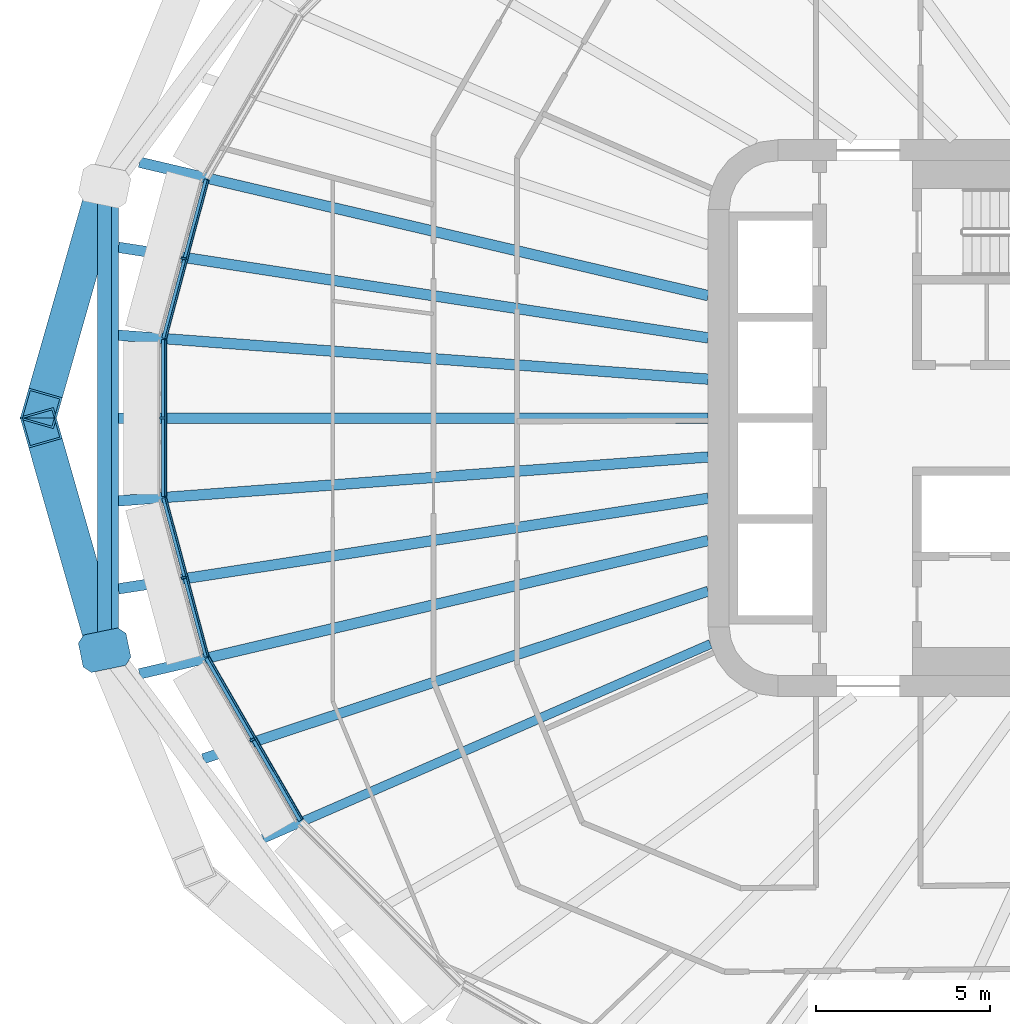
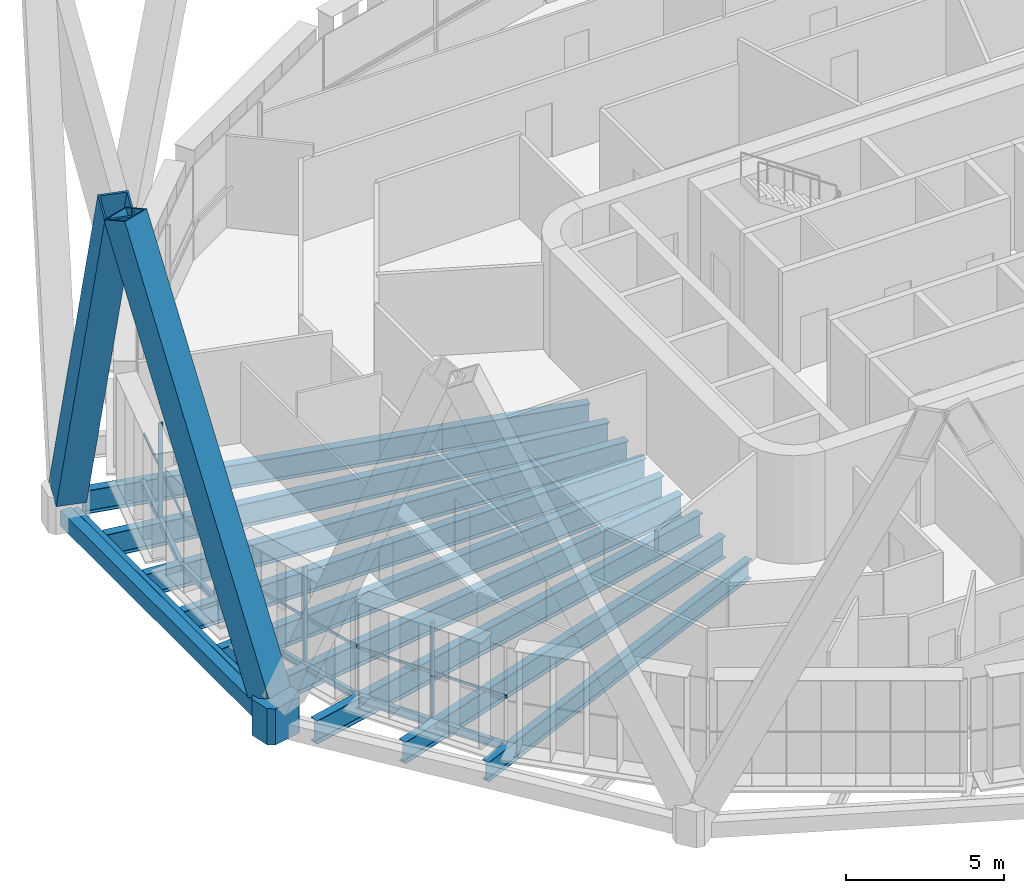
# One storey, part 3 of 25: 15 beams, 11 members, 4 elements without a shape of their own.
"""IFC4 building model written with IfcOpenShell, lengths in metres."""

from ifc_helpers import new_model, si_unit, direction, frame, origin, origin_2d, place, context, subcontext, project, spatial, polyline, rectangle, hollow_rectangle, i_section, outline, extrude, material, layer, layer_set, material_profile, profile_set, type_object, element, aggregate, save


model = new_model("IFC4")

# Units and contexts
model_context = context("Model", 3, precision=1e-05, world=origin(), true_north=direction((0.0, 1.0)))
body_context = subcontext(model_context, "Body", "Model", "MODEL_VIEW")
ifc_project = project(units=[si_unit("LENGTHUNIT", "METRE"), si_unit("AREAUNIT", "SQUARE_METRE"), si_unit("VOLUMEUNIT", "CUBIC_METRE"), si_unit("PLANEANGLEUNIT", "RADIAN"), si_unit("MASSUNIT", "GRAM", prefix="KILO")], contexts=[model_context])

# Site, building, storey
site_placement = place(None, origin())
site = spatial("IfcSite", under=ifc_project, at=site_placement, CompositionType="ELEMENT")
building_placement = place(site_placement, origin())
building = spatial("IfcBuilding", under=site, at=building_placement, Name="Sahrelin Media Tower", CompositionType="ELEMENT")
storey_placement = place(building_placement, frame((0.0, 0.0, 63.0)))
storey = spatial("IfcBuildingStorey", under=building, at=storey_placement, Name="L10", CompositionType="ELEMENT", Elevation=63.0)

# Members
ifc_material_1 = material(Name="Steel S460", Category="steel")
ifc_material_profile_1 = material_profile(ifc_material_1, hollow_rectangle(XDim=1.0, YDim=1.0, WallThickness=0.06005859375, at=origin_2d()), Name="Diagrid diagonal DG1")
ifc_profile_set_1 = profile_set([ifc_material_profile_1], Name="Steel S460")
member_type_1 = type_object("IfcMemberType", Name="Diagrid diagonal DG1", PredefinedType="BRACE", material=ifc_profile_set_1)
for number, where, z_axis, x_axis, name in (
    (1, (-32.428466796875, 6.393798828125, 0.699951171875), (-0.104723795956, -0.367053461411, 0.924286039615), (0.961626731907, -0.274361127862, 0.0), "Diagrid diagonal D01-11"),
    (2, (-32.428466796875, -6.393798828125, 0.699951171875), (-0.104723795956, 0.367053461411, 0.924286039615), (-0.961626731907, -0.274361127862, 0.0), "Diagrid diagonal D01-12"),
):
    element("IfcMember", number, at=place(storey_placement, frame(where, z_axis=z_axis, x_axis=x_axis)), inside=storey, type_object=member_type_1, Name=name, PredefinedType="BRACE", context=body_context, shape_type="SweptSolid", body=[
        extrude(hollow_rectangle(XDim=1.0, YDim=1.0, WallThickness=0.06005859375, at=origin_2d()), origin(), (0.0, 0.0, 1.0), 16.66162109375),
    ])
ifc_material_profile_2 = material_profile(ifc_material_1, outline(polyline([(0.5, -0.550048828125), (0.699951171875, -0.35009765625), (0.699951171875, 0.35009765625), (0.5, 0.550048828125), (-0.5, 0.550048828125), (-0.699951171875, 0.35009765625), (-0.699951171875, -0.35009765625), (-0.5, -0.550048828125), (0.5, -0.550048828125)])), Name="Diagrid node block 1400")
ifc_profile_set_2 = profile_set([ifc_material_profile_2], Name="Steel S460")
member_type_2 = type_object("IfcMemberType", Name="Diagrid node block 1400", PredefinedType="USERDEFINED", material=ifc_profile_set_2)
member_1_placement = place(storey_placement, frame((-32.34912109375, -6.671630859375, -0.699951171875), z_axis=(0.0, 0.0, 1.0), x_axis=(-0.979387770926, -0.201989094163, 0.0)))
element("IfcMember", 3, at=member_1_placement, inside=storey, type_object=member_type_2, Name="Diagrid node N01-06", ObjectType="NODE", PredefinedType="USERDEFINED", context=body_context, shape_type="SweptSolid", body=[
    extrude(outline(polyline([(0.5, -0.550048828125), (0.699951171875, -0.35009765625), (0.699951171875, 0.35009765625), (0.5, 0.550048828125), (-0.5, 0.550048828125), (-0.699951171875, 0.35009765625), (-0.699951171875, -0.35009765625), (-0.5, -0.550048828125), (0.5, -0.550048828125)])), origin(), (0.0, 0.0, 1.0), 1.39990234375),
])

# Beams
ifc_material_profile_3 = material_profile(ifc_material_1, hollow_rectangle(XDim=0.39990234375, YDim=0.60009765625, WallThickness=0.030029296875, at=origin_2d()), Name="Diagrid ring beam RB1")
ifc_profile_set_3 = profile_set([ifc_material_profile_3], Name="Steel S460")
beam_type_1 = type_object("IfcBeamType", Name="Diagrid ring beam RB1", PredefinedType="BEAM", material=ifc_profile_set_3)
beam_1_placement = place(storey_placement, frame((-32.34912109375, 6.671630859375, -0.449951171875), z_axis=(0.0, -1.0, 0.0), x_axis=(1.0, 0.0, 0.0)))
element("IfcBeam", 4, at=beam_1_placement, inside=storey, type_object=beam_type_1, Name="Diagrid ring beam RB01-05", PredefinedType="BEAM", context=body_context, shape_type="SweptSolid", body=[
    extrude(hollow_rectangle(XDim=0.39990234375, YDim=0.60009765625, WallThickness=0.030029296875, at=origin_2d()), origin(), (0.0, 0.0, 1.0), 13.34326171875),
])
ifc_material_2 = material(Name="Steel S355", Category="steel")
ifc_material_profile_4 = material_profile(ifc_material_2, i_section(OverallWidth=0.14599609375, OverallDepth=0.25146484375, WebThickness=0.006103515625, FlangeThickness=0.008544921875, FilletRadius=0.007568359375, at=origin_2d()), Name="UB 254x146x31")
ifc_profile_set_4 = profile_set([ifc_material_profile_4], Name="Steel S355")
beam_type_2 = type_object("IfcBeamType", Name="Edge beam EB1", PredefinedType="BEAM", material=ifc_profile_set_4)
beam_2_placement = place(storey_placement, frame((-29.412109375, -6.85888671875, -0.275634765625), z_axis=(-0.258783372554, 0.965935384014, 0.0), x_axis=(-0.965935384014, -0.258783372554, 0.0)))
element("IfcBeam", 5, at=beam_2_placement, inside=storey, type_object=beam_type_2, Name="Edge beam L10-12", PredefinedType="BEAM", context=body_context, shape_type="SweptSolid", body=[
    extrude(i_section(OverallWidth=0.14599609375, OverallDepth=0.25146484375, WebThickness=0.006103515625, FlangeThickness=0.008544921875, FilletRadius=0.007568359375, at=origin_2d()), origin(), (0.0, 0.0, 1.0), 4.731201171875),
])
beam_3_placement = place(storey_placement, frame((-30.640380859375, -2.260009765625, -0.275634765625), z_axis=(0.0, 1.0, 0.0), x_axis=(-1.0, 0.0, 0.0)))
element("IfcBeam", 6, at=beam_3_placement, inside=storey, type_object=beam_type_2, Name="Edge beam L10-13", PredefinedType="BEAM", context=body_context, shape_type="SweptSolid", body=[
    extrude(i_section(OverallWidth=0.14599609375, OverallDepth=0.25146484375, WebThickness=0.006103515625, FlangeThickness=0.008544921875, FilletRadius=0.007568359375, at=origin_2d()), origin(), (0.0, 0.0, 1.0), 4.52001953125),
])
beam_4_placement = place(storey_placement, frame((-30.636474609375, 2.288818359375, -0.275634765625), z_axis=(0.258783372554, 0.965935384014, 0.0), x_axis=(-0.965935384014, 0.258783372554, 0.0)))
element("IfcBeam", 7, at=beam_4_placement, inside=storey, type_object=beam_type_2, Name="Edge beam L10-14", PredefinedType="BEAM", context=body_context, shape_type="SweptSolid", body=[
    extrude(i_section(OverallWidth=0.14599609375, OverallDepth=0.25146484375, WebThickness=0.006103515625, FlangeThickness=0.008544921875, FilletRadius=0.007568359375, at=origin_2d()), origin(), (0.0, 0.0, 1.0), 4.731201171875),
])
ifc_material_profile_5 = material_profile(ifc_material_2, i_section(OverallWidth=0.1650390625, OverallDepth=0.303466796875, WebThickness=0.006103515625, FlangeThickness=0.01025390625, FilletRadius=0.0087890625, at=origin_2d()), Name="UB 305x165x40")
ifc_profile_set_5 = profile_set([ifc_material_profile_5], Name="Steel S355")
beam_type_3 = type_object("IfcBeamType", Name="Edge beam EB2", PredefinedType="BEAM", material=ifc_profile_set_5)
beam_5_placement = place(storey_placement, frame((-26.703125, -11.55810546875, -0.3017578125), z_axis=(-0.500003162844, 0.866023577708, 0.0), x_axis=(-0.866023577708, -0.500003162844, 0.0)))
element("IfcBeam", 8, at=beam_5_placement, inside=storey, type_object=beam_type_3, Name="Edge beam L10-11", PredefinedType="BEAM", context=body_context, shape_type="SweptSolid", body=[
    extrude(i_section(OverallWidth=0.1650390625, OverallDepth=0.303466796875, WebThickness=0.006103515625, FlangeThickness=0.01025390625, FilletRadius=0.0087890625, at=origin_2d()), origin(), (0.0, 0.0, 1.0), 5.3955078125),
])

# Curtain wall, member
ifc_material_3 = material(Name="Champagne anodised aluminium 6063-T6", Category="aluminium")
ifc_layer = layer(ifc_material_3, 0.14990234375)
ifc_layer_set = layer_set([ifc_layer], Name="Tower ribbon curtain wall")
curtain_wall_type = type_object("IfcCurtainWallType", Name="Tower ribbon curtain wall", PredefinedType="NOTDEFINED", material=ifc_layer_set)
curtain_wall_1_placement = place(storey_placement, frame((-30.169189453125, 4.612548828125, 0.0), z_axis=(0.0, 0.0, 1.0), x_axis=(1.0, 0.0, 0.0)))
curtain_wall_1 = element("IfcCurtainWall", 9, at=curtain_wall_1_placement, inside=storey, type_object=curtain_wall_type, Name="L10:CW:L10-11", PredefinedType="NOTDEFINED")
ifc_material_profile_6 = material_profile(ifc_material_3, rectangle(XDim=0.06005859375, YDim=0.14990234375, at=origin_2d()), Name="Mullion 60x150")
ifc_profile_set_6 = profile_set([ifc_material_profile_6], Name="Champagne anodised aluminium 6063-T6")
member_type_3 = type_object("IfcMemberType", Name="Mullion 60x150 CW1", PredefinedType="MULLION", material=ifc_profile_set_6)
member_2_placement = place(storey_placement, frame((-30.077392578125, 4.587890625, 0.0), z_axis=(0.0, 0.0, 1.0), x_axis=(-0.258820730961, -0.965925374563, 0.0)))
member_2 = element("IfcMember", 10, at=member_2_placement, type_object=member_type_3, Name="L10:CWM:L10-11", PredefinedType="MULLION", context=body_context, shape_type="SweptSolid", body=[
    extrude(rectangle(XDim=0.06005859375, YDim=0.14990234375, at=origin_2d()), origin(), (0.0, 0.0, 1.0), 3.648681640625),
])

curtain_wall_2_placement = place(storey_placement, frame((-30.790283203125, 0.0, 0.0), z_axis=(0.0, 0.0, 1.0), x_axis=(1.0, 0.0, 0.0)))
curtain_wall_2 = element("IfcCurtainWall", 11, at=curtain_wall_2_placement, inside=storey, type_object=curtain_wall_type, Name="L10:CW:L10-12", PredefinedType="NOTDEFINED")
member_3_placement = place(storey_placement, frame((-30.6953125, 0.0, 0.0), z_axis=(0.0, 0.0, 1.0), x_axis=(0.0, -1.0, 0.0)))
member_3 = element("IfcMember", 12, at=member_3_placement, type_object=member_type_3, Name="L10:CWM:L10-12", PredefinedType="MULLION", context=body_context, shape_type="SweptSolid", body=[
    extrude(rectangle(XDim=0.06005859375, YDim=0.14990234375, at=origin_2d()), origin(), (0.0, 0.0, 1.0), 3.648681640625),
])

curtain_wall_3_placement = place(storey_placement, frame((-30.169189453125, -4.612548828125, 0.0), z_axis=(0.0, 0.0, 1.0), x_axis=(1.0, 0.0, 0.0)))
curtain_wall_3 = element("IfcCurtainWall", 13, at=curtain_wall_3_placement, inside=storey, type_object=curtain_wall_type, Name="L10:CW:L10-13", PredefinedType="NOTDEFINED")
member_4_placement = place(storey_placement, frame((-30.077392578125, -4.587890625, 0.0), z_axis=(0.0, 0.0, 1.0), x_axis=(0.258820730961, -0.965925374563, 0.0)))
member_4 = element("IfcMember", 14, at=member_4_placement, type_object=member_type_3, Name="L10:CWM:L10-13", PredefinedType="MULLION", context=body_context, shape_type="SweptSolid", body=[
    extrude(rectangle(XDim=0.06005859375, YDim=0.14990234375, at=origin_2d()), origin(), (0.0, 0.0, 1.0), 3.648681640625),
])

curtain_wall_4_placement = place(storey_placement, frame((-28.181884765625, -9.296630859375, 0.0), z_axis=(0.0, 0.0, 1.0), x_axis=(1.0, 0.0, 0.0)))
curtain_wall_4 = element("IfcCurtainWall", 15, at=curtain_wall_4_placement, inside=storey, type_object=curtain_wall_type, Name="L10:CW:L10-14", PredefinedType="NOTDEFINED")
member_5_placement = place(storey_placement, frame((-28.099609375, -9.249267578125, 0.0), z_axis=(0.0, 0.0, 1.0), x_axis=(0.499996976998, -0.866027149108, 0.0)))
member_5 = element("IfcMember", 16, at=member_5_placement, type_object=member_type_3, Name="L10:CWM:L10-14", PredefinedType="MULLION", context=body_context, shape_type="SweptSolid", body=[
    extrude(rectangle(XDim=0.06005859375, YDim=0.14990234375, at=origin_2d()), origin(), (0.0, 0.0, 1.0), 3.648681640625),
])

# Beams
ifc_material_profile_7 = material_profile(ifc_material_2, i_section(OverallWidth=0.30322265625, OverallDepth=0.903076171875, WebThickness=0.01513671875, FlangeThickness=0.020263671875, FilletRadius=0.01904296875, at=origin_2d()), Name="UB 914x305x201")
ifc_profile_set_7 = profile_set([ifc_material_profile_7], Name="Steel S355")
beam_type_4 = type_object("IfcBeamType", Name="Radial primary beam PB11", PredefinedType="BEAM", material=ifc_profile_set_7)
beam_6_placement = place(storey_placement, frame((-15.0, 3.518310546875, -0.6015625), z_axis=(-0.973576565614, 0.228360834837, 0.0), x_axis=(-0.228360834837, -0.973576565614, 0.0)))
element("IfcBeam", 17, at=beam_6_placement, inside=storey, type_object=beam_type_4, Name="Radial beam L10-11", PredefinedType="BEAM", context=body_context, shape_type="SweptSolid", body=[
    extrude(i_section(OverallWidth=0.30322265625, OverallDepth=0.903076171875, WebThickness=0.01513671875, FlangeThickness=0.020263671875, FilletRadius=0.01904296875, at=origin_2d()), origin(), (0.0, 0.0, 1.0), 16.7880859375),
])
for number, where, z_axis, x_axis, name in (
    (18, (-15.0, 1.117919921875, -0.6015625), (-0.997235845529, 0.074301200478, 0.0), (-0.074301200478, -0.997235845529, 0.0), "Radial beam L10-12"),
    (19, (-15.0, -1.117919921875, -0.6015625), (-0.997235845529, -0.074301200478, 0.0), (0.074301200478, -0.997235845529, 0.0), "Radial beam L10-13"),
):
    element("IfcBeam", number, at=place(storey_placement, frame(where, z_axis=z_axis, x_axis=x_axis)), inside=storey, type_object=beam_type_4, Name=name, PredefinedType="BEAM", context=body_context, shape_type="SweptSolid", body=[
        extrude(i_section(OverallWidth=0.30322265625, OverallDepth=0.903076171875, WebThickness=0.01513671875, FlangeThickness=0.020263671875, FilletRadius=0.01904296875, at=origin_2d()), origin(), (0.0, 0.0, 1.0), 17.000732421875),
    ])
beam_7_placement = place(storey_placement, frame((-15.0, -3.518310546875, -0.6015625), z_axis=(-0.973576565614, -0.228360834837, 0.0), x_axis=(0.228360834837, -0.973576565614, 0.0)))
element("IfcBeam", 20, at=beam_7_placement, inside=storey, type_object=beam_type_4, Name="Radial beam L10-14", PredefinedType="BEAM", context=body_context, shape_type="SweptSolid", body=[
    extrude(i_section(OverallWidth=0.30322265625, OverallDepth=0.903076171875, WebThickness=0.01513671875, FlangeThickness=0.020263671875, FilletRadius=0.01904296875, at=origin_2d()), origin(), (0.0, 0.0, 1.0), 16.7880859375),
])
ifc_material_profile_8 = material_profile(ifc_material_2, i_section(OverallWidth=0.26513671875, OverallDepth=0.75390625, WebThickness=0.0126953125, FlangeThickness=0.017578125, FilletRadius=0.0166015625, at=origin_2d()), Name="UB 762x267x147")
ifc_profile_set_8 = profile_set([ifc_material_profile_8], Name="Steel S355")
beam_type_5 = type_object("IfcBeamType", Name="Radial primary beam PB9", PredefinedType="BEAM", material=ifc_profile_set_8)
beam_8_placement = place(storey_placement, frame((-14.934814453125, -6.495361328125, -0.527099609375), z_axis=(-0.917024373813, -0.398831164572, 0.0), x_axis=(0.398831164572, -0.917024373813, 0.0)))
element("IfcBeam", 21, at=beam_8_placement, inside=storey, type_object=beam_type_5, Name="Radial beam L10-15", PredefinedType="BEAM", context=body_context, shape_type="SweptSolid", body=[
    extrude(i_section(OverallWidth=0.26513671875, OverallDepth=0.75390625, WebThickness=0.0126953125, FlangeThickness=0.017578125, FilletRadius=0.0166015625, at=origin_2d()), origin(), (0.0, 0.0, 1.0), 14.02099609375),
])
ifc_material_profile_9 = material_profile(ifc_material_2, i_section(OverallWidth=0.291748046875, OverallDepth=0.8349609375, WebThickness=0.013916015625, FlangeThickness=0.018798828125, FilletRadius=0.017822265625, at=origin_2d()), Name="UB 838x292x176")
ifc_profile_set_9 = profile_set([ifc_material_profile_9], Name="Steel S355")
beam_type_6 = type_object("IfcBeamType", Name="Radial secondary beam SB10", PredefinedType="BEAM", material=ifc_profile_set_9)
beam_9_placement = place(storey_placement, frame((-15.0, -4.97607421875, -0.5673828125), z_axis=(-0.949135713963, -0.314867268035, 0.0), x_axis=(0.314867268035, -0.949135713963, 0.0)))
element("IfcBeam", 22, at=beam_9_placement, inside=storey, type_object=beam_type_6, Name="Secondary beam L10-14", PredefinedType="BEAM", context=body_context, shape_type="SweptSolid", body=[
    extrude(i_section(OverallWidth=0.291748046875, OverallDepth=0.8349609375, WebThickness=0.013916015625, FlangeThickness=0.018798828125, FilletRadius=0.017822265625, at=origin_2d()), origin(), (0.0, 0.0, 1.0), 15.292724609375),
])
ifc_material_profile_10 = material_profile(ifc_material_2, i_section(OverallWidth=0.30322265625, OverallDepth=0.903076171875, WebThickness=0.01513671875, FlangeThickness=0.020263671875, FilletRadius=0.01904296875, at=origin_2d()), Name="UB 914x305x201")
ifc_profile_set_10 = profile_set([ifc_material_profile_10], Name="Steel S355")
beam_type_7 = type_object("IfcBeamType", Name="Radial secondary beam SB11", PredefinedType="BEAM", material=ifc_profile_set_10)
beam_10_placement = place(storey_placement, frame((-15.0, 2.3037109375, -0.6015625), z_axis=(-0.988411320154, 0.151799414332, 0.0), x_axis=(-0.151799414332, -0.988411320154, 0.0)))
element("IfcBeam", 23, at=beam_10_placement, inside=storey, type_object=beam_type_7, Name="Secondary beam L10-11", PredefinedType="BEAM", context=body_context, shape_type="SweptSolid", body=[
    extrude(i_section(OverallWidth=0.30322265625, OverallDepth=0.903076171875, WebThickness=0.01513671875, FlangeThickness=0.020263671875, FilletRadius=0.01904296875, at=origin_2d()), origin(), (0.0, 0.0, 1.0), 17.152587890625),
])
beam_11_placement = place(storey_placement, frame((-15.0, 0.0, -0.6015625), z_axis=(-1.0, 0.0, 0.0), x_axis=(0.0, -1.0, 0.0)))
element("IfcBeam", 24, at=beam_11_placement, inside=storey, type_object=beam_type_7, Name="Secondary beam L10-12", PredefinedType="BEAM", context=body_context, shape_type="SweptSolid", body=[
    extrude(i_section(OverallWidth=0.30322265625, OverallDepth=0.903076171875, WebThickness=0.01513671875, FlangeThickness=0.020263671875, FilletRadius=0.01904296875, at=origin_2d()), origin(), (0.0, 0.0, 1.0), 16.953857421875),
])
beam_12_placement = place(storey_placement, frame((-15.0, -2.3037109375, -0.6015625), z_axis=(-0.988411320154, -0.151799414332, 0.0), x_axis=(0.151799414332, -0.988411320154, 0.0)))
element("IfcBeam", 25, at=beam_12_placement, inside=storey, type_object=beam_type_7, Name="Secondary beam L10-13", PredefinedType="BEAM", context=body_context, shape_type="SweptSolid", body=[
    extrude(i_section(OverallWidth=0.30322265625, OverallDepth=0.903076171875, WebThickness=0.01513671875, FlangeThickness=0.020263671875, FilletRadius=0.01904296875, at=origin_2d()), origin(), (0.0, 0.0, 1.0), 17.152587890625),
])
ifc_material_profile_11 = material_profile(ifc_material_2, i_section(OverallWidth=0.1904296875, OverallDepth=0.45703125, WebThickness=0.009033203125, FlangeThickness=0.014404296875, FilletRadius=0.01025390625, at=origin_2d()), Name="UB 457x191x74")
ifc_profile_set_11 = profile_set([ifc_material_profile_11], Name="Steel S355")
beam_type_8 = type_object("IfcBeamType", Name="Tie chord TC5", PredefinedType="BEAM", material=ifc_profile_set_11)
beam_13_placement = place(storey_placement, frame((-32.049072265625, -6.571533203125, -0.37841796875), z_axis=(0.0, 1.0, 0.0), x_axis=(-1.0, 0.0, 0.0)))
element("IfcBeam", 26, at=beam_13_placement, inside=storey, type_object=beam_type_8, Name="Tie chord L10-07", PredefinedType="BEAM", context=body_context, shape_type="SweptSolid", body=[
    extrude(i_section(OverallWidth=0.1904296875, OverallDepth=0.45703125, WebThickness=0.009033203125, FlangeThickness=0.014404296875, FilletRadius=0.01025390625, at=origin_2d()), origin(), (0.0, 0.0, 1.0), 13.14306640625),
])

# Member
ifc_material_profile_12 = material_profile(ifc_material_3, rectangle(XDim=0.050048828125, YDim=0.10009765625, at=origin_2d()), Name="Transom 50x100")
ifc_profile_set_12 = profile_set([ifc_material_profile_12], Name="Champagne anodised aluminium 6063-T6")
member_type_4 = type_object("IfcMemberType", Name="Transom 50x100 CW1", PredefinedType="USERDEFINED", material=ifc_profile_set_12)
member_6_placement = place(storey_placement, frame((-29.37255859375, 6.831787109375, 1.60009765625), z_axis=(-0.258855527471, -0.965916050129, 0.0), x_axis=(0.965916050129, -0.258855527471, 0.0)))
member_6 = element("IfcMember", 27, at=member_6_placement, type_object=member_type_4, Name="L10:CWT:L10-11", ObjectType="TRANSOM", PredefinedType="USERDEFINED", context=body_context, shape_type="SweptSolid", body=[
    extrude(rectangle(XDim=0.050048828125, YDim=0.10009765625, at=origin_2d()), origin(), (0.0, 0.0, 1.0), 4.69970703125),
])

aggregate(curtain_wall_1, [member_2, member_6])

member_7_placement = place(storey_placement, frame((-30.59521484375, 2.244384765625, 1.60009765625), z_axis=(0.0, -1.0, 0.0), x_axis=(1.0, 0.0, 0.0)))
member_7 = element("IfcMember", 28, at=member_7_placement, type_object=member_type_4, Name="L10:CWT:L10-12", ObjectType="TRANSOM", PredefinedType="USERDEFINED", context=body_context, shape_type="SweptSolid", body=[
    extrude(rectangle(XDim=0.050048828125, YDim=0.10009765625, at=origin_2d()), origin(), (0.0, 0.0, 1.0), 4.48876953125),
])

aggregate(curtain_wall_2, [member_3, member_7])

member_8_placement = place(storey_placement, frame((-30.589111328125, -2.292236328125, 1.60009765625), z_axis=(0.258855527471, -0.965916050129, 0.0), x_axis=(0.965916050129, 0.258855527471, 0.0)))
member_8 = element("IfcMember", 29, at=member_8_placement, type_object=member_type_4, Name="L10:CWT:L10-13", ObjectType="TRANSOM", PredefinedType="USERDEFINED", context=body_context, shape_type="SweptSolid", body=[
    extrude(rectangle(XDim=0.050048828125, YDim=0.10009765625, at=origin_2d()), origin(), (0.0, 0.0, 1.0), 4.69970703125),
])

aggregate(curtain_wall_3, [member_4, member_8])

member_9_placement = place(storey_placement, frame((-29.35400390625, -6.87646484375, 1.60009765625), z_axis=(0.499971977112, -0.866041582202, 0.0), x_axis=(0.866041582202, 0.499971977112, 0.0)))
member_9 = element("IfcMember", 30, at=member_9_placement, type_object=member_type_4, Name="L10:CWT:L10-14", ObjectType="TRANSOM", PredefinedType="USERDEFINED", context=body_context, shape_type="SweptSolid", body=[
    extrude(rectangle(XDim=0.050048828125, YDim=0.10009765625, at=origin_2d()), origin(), (0.0, 0.0, 1.0), 5.364013671875),
])

aggregate(curtain_wall_4, [member_5, member_9])

save(model, "model.ifc")
